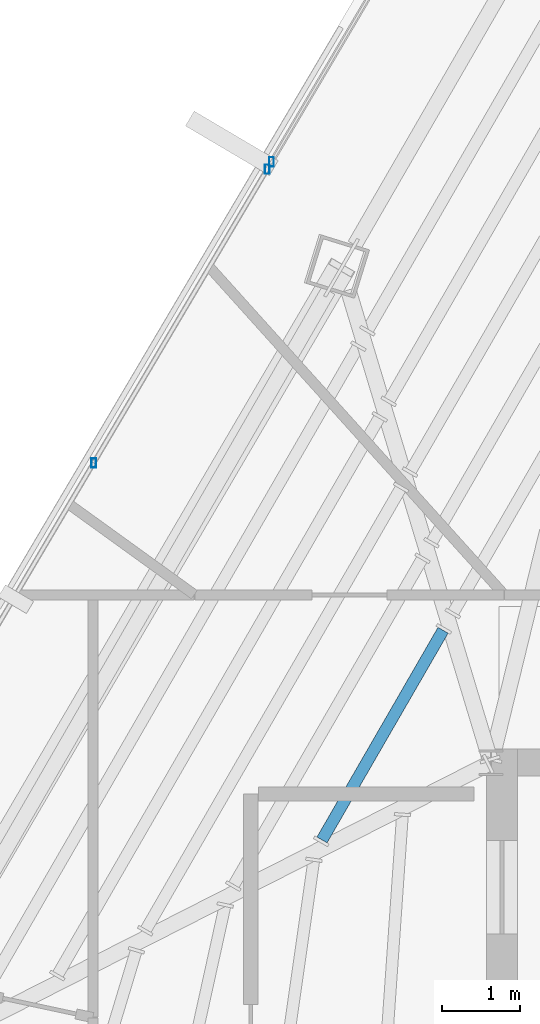
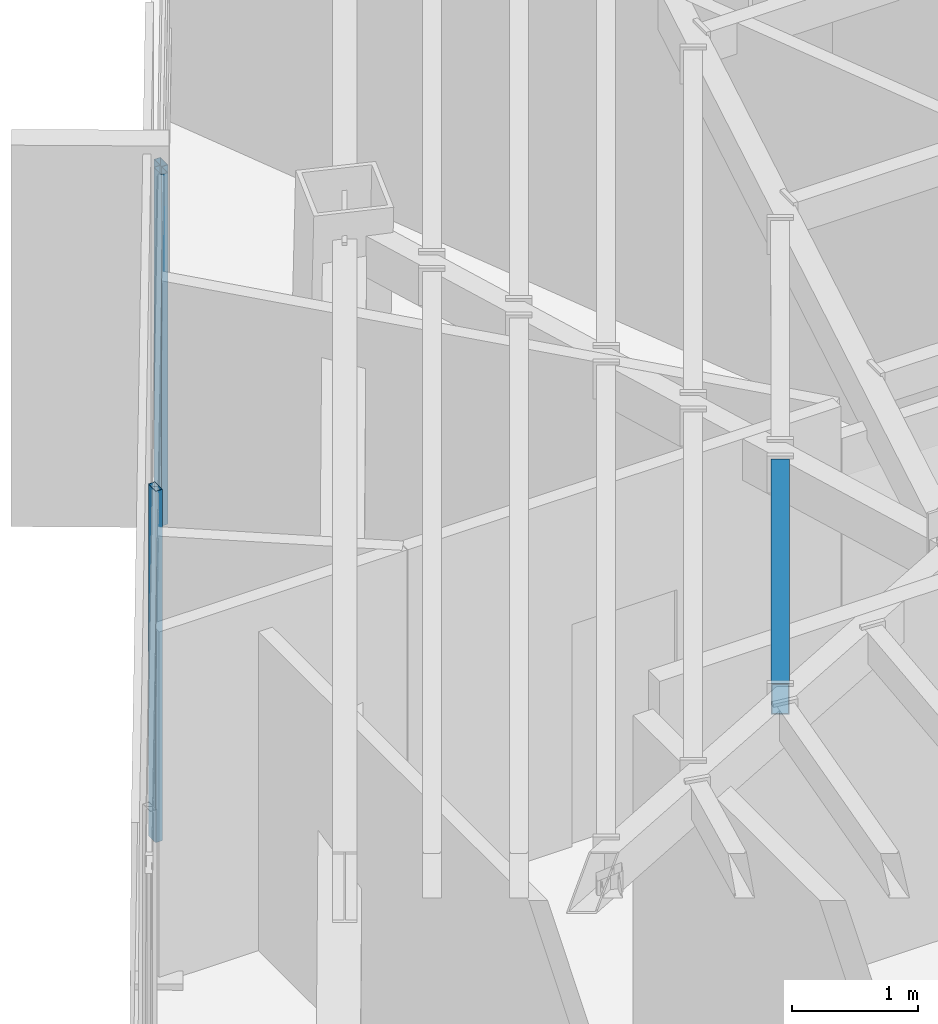
# One storey, part 17 of 48: 3 members, 1 beam, 2 elements without a shape of their own.
"""IFC4 building model written with IfcOpenShell, lengths in metres."""

from ifc_helpers import new_model, si_unit, direction, frame, origin, origin_2d, place, context, subcontext, project, spatial, hollow_rectangle, extrude, source, transform, mapped, material, material_profile, profile_set, type_object, type_shapes, element, aggregate, save


model = new_model("IFC4")

# Units and contexts
model_context = context("Model", 3, precision=1e-05, world=origin(), true_north=direction((0.0, 1.0)))
body_context = subcontext(model_context, "Body", "Model", "MODEL_VIEW")
ifc_project = project(units=[si_unit("LENGTHUNIT", "METRE"), si_unit("AREAUNIT", "SQUARE_METRE"), si_unit("VOLUMEUNIT", "CUBIC_METRE"), si_unit("PLANEANGLEUNIT", "RADIAN"), si_unit("MASSUNIT", "GRAM", prefix="KILO")], contexts=[model_context])

# Site, building, storey
site_placement = place(None, origin())
site = spatial("IfcSite", under=ifc_project, at=site_placement, CompositionType="ELEMENT")
building_placement = place(site_placement, origin())
building = spatial("IfcBuilding", under=site, at=building_placement, Name="Caelisora Broadcast Tower", CompositionType="ELEMENT")
storey_placement = place(building_placement, frame((0.0, 0.0, 270.0)))
storey = spatial("IfcBuildingStorey", under=building, at=storey_placement, Name="L71", CompositionType="ELEMENT", Elevation=270.0)

# Beam
ifc_material_1 = material(Name="Steel Grade 350 (AS/NZS 1163 C350L0)", Category="steel")
ifc_material_profile_1 = material_profile(ifc_material_1, hollow_rectangle(XDim=0.14990234375, YDim=0.300048828125, WallThickness=0.010009765625, at=origin_2d()), Name="Steel Grade 350 (AS/NZS 1163 C350L0)")
ifc_profile_set_1 = profile_set([ifc_material_profile_1], Name="Steel Grade 350 (AS/NZS 1163 C350L0)")
beam_type = type_object("IfcBeamType", Name="SB05", PredefinedType="JOIST", material=ifc_profile_set_1)
shared_shape_1 = source(origin(), body_context, "Body", "SweptSolid", [
    extrude(hollow_rectangle(XDim=0.14990234375, YDim=0.300048828125, WallThickness=0.010009765625, at=origin_2d()), origin(), (0.0, 0.0, 1.0), 3.103759765625),
])
type_shapes(beam_type, [shared_shape_1])
beam_placement = place(storey_placement, frame((29.885498046875, 31.6962890625, 3.25), z_axis=(-0.500022035744, -0.866012681068, 0.0), x_axis=(0.866012681068, -0.500022035744, 0.0)))
element("IfcBeam", 1, at=beam_placement, inside=storey, type_object=beam_type, Name="L71 beam SB05", PredefinedType="JOIST", context=body_context, shape_type="MappedRepresentation", body=[
    mapped(shared_shape_1, transform((0.0, 0.0, 0.0), scale=1.0)),
])

# Curtain wall, members
ifc_material_2 = material(Name="Unitised Aluminium Insulated Shadow-Box Spandrel Curtain Wall", Category="aluminium")
curtain_wall_type_1 = type_object("IfcCurtainWallType", Name="CW-SP3", PredefinedType="NOTDEFINED", material=ifc_material_2)
curtain_wall_1_placement = place(storey_placement, origin())
curtain_wall_1 = element("IfcCurtainWall", 2, at=curtain_wall_1_placement, inside=storey, type_object=curtain_wall_type_1, Name="L71 curtain wall CW-SP3", PredefinedType="NOTDEFINED")
ifc_material_3 = material(Name="Aluminium 6063-T6 Anodised Terracotta Bronze", Category="aluminium")
ifc_material_profile_2 = material_profile(ifc_material_3, hollow_rectangle(XDim=0.06005859375, YDim=0.1201171875, WallThickness=0.0029296875, at=origin_2d()), Name="Aluminium 6063-T6 Anodised Terracotta Bronze")
ifc_profile_set_2 = profile_set([ifc_material_profile_2], Name="Aluminium 6063-T6 Anodised Terracotta Bronze")
member_type = type_object("IfcMemberType", Name="CWM-04", PredefinedType="MULLION", material=ifc_profile_set_2)
shared_shape_2 = source(origin(), body_context, "Body", "SweptSolid", [
    extrude(hollow_rectangle(XDim=0.06005859375, YDim=0.1201171875, WallThickness=0.0029296875, at=origin_2d()), origin(), (0.0, 0.0, 1.0), 3.39990234375),
])
type_shapes(member_type, [shared_shape_2])
member_1_placement = place(storey_placement, frame((25.406494140625, 33.84130859375, 0.0), z_axis=(0.0, 0.0, 1.0), x_axis=(1.0, 0.0, 0.0)))
member_1 = element("IfcMember", 3, at=member_1_placement, type_object=member_type, Name="L71-CW-B10 mullion #2", PredefinedType="MULLION", context=body_context, shape_type="MappedRepresentation", body=[
    mapped(shared_shape_2, transform((0.0, 0.0, 0.0), scale=1.0)),
])
member_2_placement = place(storey_placement, frame((27.630859375, 37.607177734375, 0.0), z_axis=(0.0, 0.0, 1.0), x_axis=(1.0, 0.0, 0.0)))
member_2 = element("IfcMember", 4, at=member_2_placement, type_object=member_type, Name="L71-CW-B10 mullion #3", PredefinedType="MULLION", context=body_context, shape_type="MappedRepresentation", body=[
    mapped(shared_shape_2, transform((0.0, 0.0, 0.0), scale=1.0)),
])
aggregate(curtain_wall_1, [member_1, member_2])

# Curtain wall, member
ifc_material_4 = material(Name="Unitised Aluminium and Low-E Glass Curtain Wall", Category="glass")
curtain_wall_type_2 = type_object("IfcCurtainWallType", Name="CW-Z5", PredefinedType="NOTDEFINED", material=ifc_material_4)
curtain_wall_2_placement = place(storey_placement, origin())
curtain_wall_2 = element("IfcCurtainWall", 5, at=curtain_wall_2_placement, inside=storey, type_object=curtain_wall_type_2, Name="L71 curtain wall CW-Z5", PredefinedType="NOTDEFINED")
member_3_placement = place(storey_placement, frame((27.686767578125, 37.701904296875, 0.0), z_axis=(0.0, 0.0, 1.0), x_axis=(1.0, 0.0, 0.0)))
member_3 = element("IfcMember", 6, at=member_3_placement, type_object=member_type, Name="L71-CW-B11 mullion #0", PredefinedType="MULLION", context=body_context, shape_type="MappedRepresentation", body=[
    mapped(shared_shape_2, transform((0.0, 0.0, 0.0), scale=1.0)),
])
aggregate(curtain_wall_2, [member_3])

save(model, "model.ifc")
